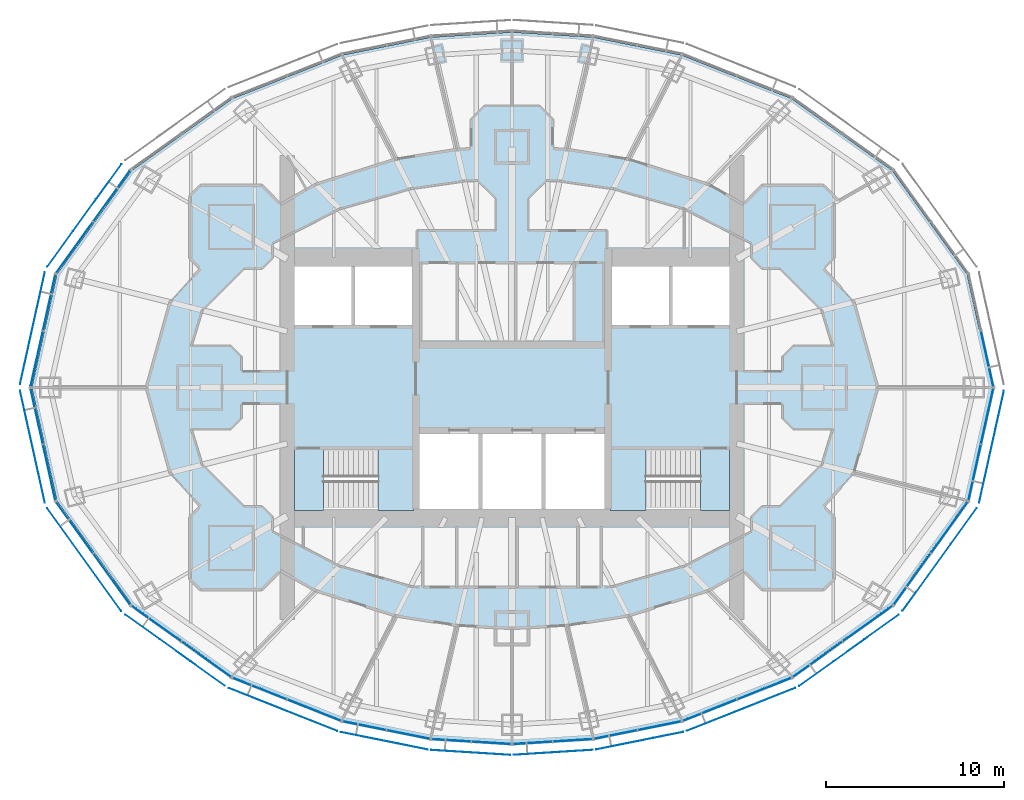
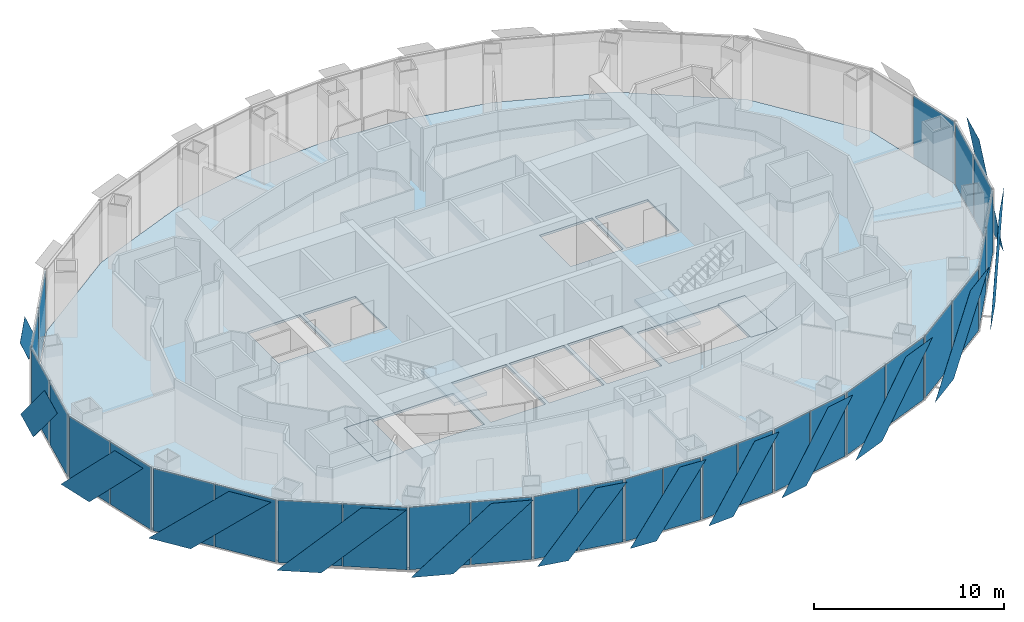
# One storey, part 10 of 18: 43 plates, 5 slabs, 17 elements without a shape of their own.
"""IFC4 building model written with IfcOpenShell, lengths in metres."""

from ifc_helpers import new_model, si_unit, direction, frame, origin, origin_2d, place, context, subcontext, project, spatial, polyline, rectangle, outline, extrude, material, layer, layer_set, type_object, element, aggregate, save


model = new_model("IFC4")

# Units and contexts
model_context = context("Model", 3, precision=1e-05, world=origin(), true_north=direction((0.0, 1.0)))
body_context = subcontext(model_context, "Body", "Model", "MODEL_VIEW")
ifc_project = project(units=[si_unit("LENGTHUNIT", "METRE"), si_unit("AREAUNIT", "SQUARE_METRE"), si_unit("VOLUMEUNIT", "CUBIC_METRE"), si_unit("PLANEANGLEUNIT", "RADIAN"), si_unit("MASSUNIT", "GRAM", prefix="KILO")], contexts=[model_context])

# Site, building, storey
site_placement = place(None, origin())
site = spatial("IfcSite", under=ifc_project, at=site_placement, CompositionType="ELEMENT")
building_placement = place(site_placement, origin())
building = spatial("IfcBuilding", under=site, at=building_placement, Name="Lantaw Convention Tower", CompositionType="ELEMENT")
storey_placement = place(building_placement, frame((0.0, 0.0, 228.39990234375)))
storey = spatial("IfcBuildingStorey", under=building, at=storey_placement, Name="L53", CompositionType="ELEMENT", Elevation=228.39990234375)

# Curtain wall, plate
ifc_material_1 = material(Name="Aluminium framed curtain wall", Category="aluminium")
curtain_wall_type = type_object("IfcCurtainWallType", Name="Office curtain wall high rise, pale aluminium", PredefinedType="USERDEFINED", material=ifc_material_1)
curtain_wall_1_placement = place(storey_placement, origin())
curtain_wall_1 = element("IfcCurtainWall", 1, at=curtain_wall_1_placement, inside=storey, type_object=curtain_wall_type, Name="Office curtain wall high rise, pale aluminium L53", ObjectType="UNITISED CURTAIN WALL", PredefinedType="USERDEFINED")
ifc_material_2 = material(Name="Clear insulating glass", Category="glass")
ifc_layer_1 = layer(ifc_material_2, 0.028076171875)
ifc_layer_set_1 = layer_set([ifc_layer_1], Name="CW-O2 panel 28")
plate_type_1 = type_object("IfcPlateType", Name="CW-O2 panel 28", PredefinedType="CURTAIN_PANEL", material=ifc_layer_set_1)
plate_1_placement = place(storey_placement, frame((26.643798828125, 1.61083984375, -0.0849609375), z_axis=(0.0, 0.0, 1.0), x_axis=(-0.215891333626, 0.976417396437, 0.0)))
plate_1 = element("IfcPlate", 2, at=plate_1_placement, type_object=plate_type_1, Name="CW-O2 panel 1.1", PredefinedType="CURTAIN_PANEL", context=body_context, shape_type="SweptSolid", body=[
    extrude(rectangle(XDim=3.169677734375, YDim=0.028076171875, at=origin_2d()), origin(), (0.0, 0.0, 1.0), 4.02001953125),
])
aggregate(curtain_wall_1, [plate_1])

# Curtain wall, plates
curtain_wall_2_placement = place(storey_placement, origin())
curtain_wall_2 = element("IfcCurtainWall", 3, at=curtain_wall_2_placement, inside=storey, type_object=curtain_wall_type, Name="Office curtain wall high rise, pale aluminium L53", ObjectType="UNITISED CURTAIN WALL", PredefinedType="USERDEFINED")
plate_2_placement = place(storey_placement, frame((-22.4404296875, 10.743896484375, -0.0849609375), z_axis=(0.0, 0.0, 1.0), x_axis=(-0.585157643865, -0.810919559405, 0.0)))
plate_2 = element("IfcPlate", 4, at=plate_2_placement, type_object=plate_type_1, Name="CW-O2 panel 1.1", PredefinedType="CURTAIN_PANEL", context=body_context, shape_type="SweptSolid", body=[
    extrude(rectangle(XDim=3.500732421875, YDim=0.028076171875, at=origin_2d()), origin(), (0.0, 0.0, 1.0), 4.02001953125),
])
plate_3_placement = place(storey_placement, frame((-24.527099609375, 7.852294921875, -0.0849609375), z_axis=(0.0, 0.0, 1.0), x_axis=(-0.585157643865, -0.810919559405, 0.0)))
plate_3 = element("IfcPlate", 5, at=plate_3_placement, type_object=plate_type_1, Name="CW-O2 panel 2.1", PredefinedType="CURTAIN_PANEL", context=body_context, shape_type="SweptSolid", body=[
    extrude(rectangle(XDim=3.500732421875, YDim=0.028076171875, at=origin_2d()), origin(), (0.0, 0.0, 1.0), 4.02001953125),
])
aggregate(curtain_wall_2, [plate_2, plate_3])

curtain_wall_3_placement = place(storey_placement, origin())
curtain_wall_3 = element("IfcCurtainWall", 6, at=curtain_wall_3_placement, inside=storey, type_object=curtain_wall_type, Name="Office curtain wall high rise, pale aluminium L53", ObjectType="UNITISED CURTAIN WALL", PredefinedType="USERDEFINED")
plate_4_placement = place(storey_placement, frame((-25.945556640625, 4.769287109375, -0.0849609375), z_axis=(0.0, 0.0, 1.0), x_axis=(-0.215891333626, -0.976417396437, 0.0)))
plate_4 = element("IfcPlate", 7, at=plate_4_placement, type_object=plate_type_1, Name="CW-O2 panel 1.1", PredefinedType="CURTAIN_PANEL", context=body_context, shape_type="SweptSolid", body=[
    extrude(rectangle(XDim=3.169677734375, YDim=0.028076171875, at=origin_2d()), origin(), (0.0, 0.0, 1.0), 4.02001953125),
])
plate_5_placement = place(storey_placement, frame((-26.643798828125, 1.61083984375, -0.0849609375), z_axis=(0.0, 0.0, 1.0), x_axis=(-0.215891333626, -0.976417396437, 0.0)))
plate_5 = element("IfcPlate", 8, at=plate_5_placement, type_object=plate_type_1, Name="CW-O2 panel 2.1", PredefinedType="CURTAIN_PANEL", context=body_context, shape_type="SweptSolid", body=[
    extrude(rectangle(XDim=3.169677734375, YDim=0.028076171875, at=origin_2d()), origin(), (0.0, 0.0, 1.0), 4.02001953125),
])
aggregate(curtain_wall_3, [plate_4, plate_5])

curtain_wall_4_placement = place(storey_placement, origin())
curtain_wall_4 = element("IfcCurtainWall", 9, at=curtain_wall_4_placement, inside=storey, type_object=curtain_wall_type, Name="Office curtain wall high rise, pale aluminium L53", ObjectType="UNITISED CURTAIN WALL", PredefinedType="USERDEFINED")
plate_6_placement = place(storey_placement, frame((-26.643798828125, -1.61083984375, -0.0849609375), z_axis=(0.0, 0.0, 1.0), x_axis=(0.215891333626, -0.976417396437, 0.0)))
plate_6 = element("IfcPlate", 10, at=plate_6_placement, type_object=plate_type_1, Name="CW-O2 panel 1.1", PredefinedType="CURTAIN_PANEL", context=body_context, shape_type="SweptSolid", body=[
    extrude(rectangle(XDim=3.169677734375, YDim=0.028076171875, at=origin_2d()), origin(), (0.0, 0.0, 1.0), 4.02001953125),
])
plate_7_placement = place(storey_placement, frame((-25.945556640625, -4.769287109375, -0.0849609375), z_axis=(0.0, 0.0, 1.0), x_axis=(0.215891333626, -0.976417396437, 0.0)))
plate_7 = element("IfcPlate", 11, at=plate_7_placement, type_object=plate_type_1, Name="CW-O2 panel 2.1", PredefinedType="CURTAIN_PANEL", context=body_context, shape_type="SweptSolid", body=[
    extrude(rectangle(XDim=3.169677734375, YDim=0.028076171875, at=origin_2d()), origin(), (0.0, 0.0, 1.0), 4.02001953125),
])
aggregate(curtain_wall_4, [plate_6, plate_7])

curtain_wall_5_placement = place(storey_placement, origin())
curtain_wall_5 = element("IfcCurtainWall", 12, at=curtain_wall_5_placement, inside=storey, type_object=curtain_wall_type, Name="Office curtain wall high rise, pale aluminium L53", ObjectType="UNITISED CURTAIN WALL", PredefinedType="USERDEFINED")
plate_8_placement = place(storey_placement, frame((-24.527099609375, -7.852294921875, -0.0849609375), z_axis=(0.0, 0.0, 1.0), x_axis=(0.585157643865, -0.810919559405, 0.0)))
plate_8 = element("IfcPlate", 13, at=plate_8_placement, type_object=plate_type_1, Name="CW-O2 panel 1.1", PredefinedType="CURTAIN_PANEL", context=body_context, shape_type="SweptSolid", body=[
    extrude(rectangle(XDim=3.500732421875, YDim=0.028076171875, at=origin_2d()), origin(), (0.0, 0.0, 1.0), 4.02001953125),
])
plate_9_placement = place(storey_placement, frame((-22.4404296875, -10.743896484375, -0.0849609375), z_axis=(0.0, 0.0, 1.0), x_axis=(0.585157643865, -0.810919559405, 0.0)))
plate_9 = element("IfcPlate", 14, at=plate_9_placement, type_object=plate_type_1, Name="CW-O2 panel 2.1", PredefinedType="CURTAIN_PANEL", context=body_context, shape_type="SweptSolid", body=[
    extrude(rectangle(XDim=3.500732421875, YDim=0.028076171875, at=origin_2d()), origin(), (0.0, 0.0, 1.0), 4.02001953125),
])
aggregate(curtain_wall_5, [plate_8, plate_9])

curtain_wall_6_placement = place(storey_placement, origin())
curtain_wall_6 = element("IfcCurtainWall", 15, at=curtain_wall_6_placement, inside=storey, type_object=curtain_wall_type, Name="Office curtain wall high rise, pale aluminium L53", ObjectType="UNITISED CURTAIN WALL", PredefinedType="USERDEFINED")
plate_10_placement = place(storey_placement, frame((-19.947509765625, -13.23828125, -0.0849609375), z_axis=(0.0, 0.0, 1.0), x_axis=(0.813672540482, -0.581323487281, 0.0)))
plate_10 = element("IfcPlate", 16, at=plate_10_placement, type_object=plate_type_1, Name="CW-O2 panel 1.1", PredefinedType="CURTAIN_PANEL", context=body_context, shape_type="SweptSolid", body=[
    extrude(rectangle(XDim=3.386474609375, YDim=0.028076171875, at=origin_2d()), origin(), (0.0, 0.0, 1.0), 4.02001953125),
])
plate_11_placement = place(storey_placement, frame((-17.13916015625, -15.24462890625, -0.0849609375), z_axis=(0.0, 0.0, 1.0), x_axis=(0.813672540482, -0.581323487281, 0.0)))
plate_11 = element("IfcPlate", 17, at=plate_11_placement, type_object=plate_type_1, Name="CW-O2 panel 2.1", PredefinedType="CURTAIN_PANEL", context=body_context, shape_type="SweptSolid", body=[
    extrude(rectangle(XDim=3.386474609375, YDim=0.028076171875, at=origin_2d()), origin(), (0.0, 0.0, 1.0), 4.02001953125),
])
aggregate(curtain_wall_6, [plate_10, plate_11])

curtain_wall_7_placement = place(storey_placement, origin())
curtain_wall_7 = element("IfcCurtainWall", 18, at=curtain_wall_7_placement, inside=storey, type_object=curtain_wall_type, Name="Office curtain wall high rise, pale aluminium L53", ObjectType="UNITISED CURTAIN WALL", PredefinedType="USERDEFINED")
plate_12_placement = place(storey_placement, frame((-14.14990234375, -16.8837890625, -0.0849609375), z_axis=(0.0, 0.0, 1.0), x_axis=(0.929761533743, -0.368162315252, 0.0)))
plate_12 = element("IfcPlate", 19, at=plate_12_placement, type_object=plate_type_1, Name="CW-O2 panel 1.1", PredefinedType="CURTAIN_PANEL", context=body_context, shape_type="SweptSolid", body=[
    extrude(rectangle(XDim=3.222900390625, YDim=0.028076171875, at=origin_2d()), origin(), (0.0, 0.0, 1.0), 4.02001953125),
])
plate_13_placement = place(storey_placement, frame((-11.0927734375, -18.094482421875, -0.0849609375), z_axis=(0.0, 0.0, 1.0), x_axis=(0.929761533743, -0.368162315252, 0.0)))
plate_13 = element("IfcPlate", 20, at=plate_13_placement, type_object=plate_type_1, Name="CW-O2 panel 2.1", PredefinedType="CURTAIN_PANEL", context=body_context, shape_type="SweptSolid", body=[
    extrude(rectangle(XDim=3.222900390625, YDim=0.028076171875, at=origin_2d()), origin(), (0.0, 0.0, 1.0), 4.02001953125),
])
aggregate(curtain_wall_7, [plate_12, plate_13])

curtain_wall_8_placement = place(storey_placement, origin())
curtain_wall_8 = element("IfcCurtainWall", 21, at=curtain_wall_8_placement, inside=storey, type_object=curtain_wall_type, Name="Office curtain wall high rise, pale aluminium L53", ObjectType="UNITISED CURTAIN WALL", PredefinedType="USERDEFINED")
plate_14_placement = place(storey_placement, frame((-8.2724609375, -18.96533203125, -0.0849609375), z_axis=(0.0, 0.0, 1.0), x_axis=(0.980366679695, -0.197183095987, 0.0)))
plate_14 = element("IfcPlate", 22, at=plate_14_placement, type_object=plate_type_1, Name="CW-O2 panel 1.1", PredefinedType="CURTAIN_PANEL", context=body_context, shape_type="SweptSolid", body=[
    extrude(rectangle(XDim=2.44384765625, YDim=0.028076171875, at=origin_2d()), origin(), (0.0, 0.0, 1.0), 4.02001953125),
])
plate_15_placement = place(storey_placement, frame((-5.81298828125, -19.4599609375, -0.0849609375), z_axis=(0.0, 0.0, 1.0), x_axis=(0.980366679695, -0.197183095987, 0.0)))
plate_15 = element("IfcPlate", 23, at=plate_15_placement, type_object=plate_type_1, Name="CW-O2 panel 2.1", PredefinedType="CURTAIN_PANEL", context=body_context, shape_type="SweptSolid", body=[
    extrude(rectangle(XDim=2.44384765625, YDim=0.028076171875, at=origin_2d()), origin(), (0.0, 0.0, 1.0), 4.02001953125),
])
aggregate(curtain_wall_8, [plate_14, plate_15])

curtain_wall_9_placement = place(storey_placement, origin())
curtain_wall_9 = element("IfcCurtainWall", 24, at=curtain_wall_9_placement, inside=storey, type_object=curtain_wall_type, Name="Office curtain wall high rise, pale aluminium L53", ObjectType="UNITISED CURTAIN WALL", PredefinedType="USERDEFINED")
plate_16_placement = place(storey_placement, frame((-3.397216796875, -19.786376953125, -0.0849609375), z_axis=(0.0, 0.0, 1.0), x_axis=(0.998028774865, -0.062757983884, 0.0)))
plate_16 = element("IfcPlate", 25, at=plate_16_placement, type_object=plate_type_1, Name="CW-O2 panel 1.1", PredefinedType="CURTAIN_PANEL", context=body_context, shape_type="SweptSolid", body=[
    extrude(rectangle(XDim=2.1826171875, YDim=0.028076171875, at=origin_2d()), origin(), (0.0, 0.0, 1.0), 4.02001953125),
])
plate_17_placement = place(storey_placement, frame((-1.154052734375, -19.927490234375, -0.0849609375), z_axis=(0.0, 0.0, 1.0), x_axis=(0.998028774865, -0.062757983884, 0.0)))
plate_17 = element("IfcPlate", 26, at=plate_17_placement, type_object=plate_type_1, Name="CW-O2 panel 2.1", PredefinedType="CURTAIN_PANEL", context=body_context, shape_type="SweptSolid", body=[
    extrude(rectangle(XDim=2.1826171875, YDim=0.028076171875, at=origin_2d()), origin(), (0.0, 0.0, 1.0), 4.02001953125),
])
aggregate(curtain_wall_9, [plate_16, plate_17])

curtain_wall_10_placement = place(storey_placement, origin())
curtain_wall_10 = element("IfcCurtainWall", 27, at=curtain_wall_10_placement, inside=storey, type_object=curtain_wall_type, Name="Office curtain wall high rise, pale aluminium L53", ObjectType="UNITISED CURTAIN WALL", PredefinedType="USERDEFINED")
plate_18_placement = place(storey_placement, frame((1.154052734375, -19.927490234375, -0.0849609375), z_axis=(0.0, 0.0, 1.0), x_axis=(0.998028774865, 0.062757983884, 0.0)))
plate_18 = element("IfcPlate", 28, at=plate_18_placement, type_object=plate_type_1, Name="CW-O2 panel 1.1", PredefinedType="CURTAIN_PANEL", context=body_context, shape_type="SweptSolid", body=[
    extrude(rectangle(XDim=2.1826171875, YDim=0.028076171875, at=origin_2d()), origin(), (0.0, 0.0, 1.0), 4.02001953125),
])
plate_19_placement = place(storey_placement, frame((3.397216796875, -19.786376953125, -0.0849609375), z_axis=(0.0, 0.0, 1.0), x_axis=(0.998028774865, 0.062757983884, 0.0)))
plate_19 = element("IfcPlate", 29, at=plate_19_placement, type_object=plate_type_1, Name="CW-O2 panel 2.1", PredefinedType="CURTAIN_PANEL", context=body_context, shape_type="SweptSolid", body=[
    extrude(rectangle(XDim=2.1826171875, YDim=0.028076171875, at=origin_2d()), origin(), (0.0, 0.0, 1.0), 4.02001953125),
])
aggregate(curtain_wall_10, [plate_18, plate_19])

curtain_wall_11_placement = place(storey_placement, origin())
curtain_wall_11 = element("IfcCurtainWall", 30, at=curtain_wall_11_placement, inside=storey, type_object=curtain_wall_type, Name="Office curtain wall high rise, pale aluminium L53", ObjectType="UNITISED CURTAIN WALL", PredefinedType="USERDEFINED")
plate_20_placement = place(storey_placement, frame((5.81298828125, -19.4599609375, -0.0849609375), z_axis=(0.0, 0.0, 1.0), x_axis=(0.980366679695, 0.197183095987, 0.0)))
plate_20 = element("IfcPlate", 31, at=plate_20_placement, type_object=plate_type_1, Name="CW-O2 panel 1.1", PredefinedType="CURTAIN_PANEL", context=body_context, shape_type="SweptSolid", body=[
    extrude(rectangle(XDim=2.44384765625, YDim=0.028076171875, at=origin_2d()), origin(), (0.0, 0.0, 1.0), 4.02001953125),
])
plate_21_placement = place(storey_placement, frame((8.2724609375, -18.96533203125, -0.0849609375), z_axis=(0.0, 0.0, 1.0), x_axis=(0.980366679695, 0.197183095987, 0.0)))
plate_21 = element("IfcPlate", 32, at=plate_21_placement, type_object=plate_type_1, Name="CW-O2 panel 2.1", PredefinedType="CURTAIN_PANEL", context=body_context, shape_type="SweptSolid", body=[
    extrude(rectangle(XDim=2.44384765625, YDim=0.028076171875, at=origin_2d()), origin(), (0.0, 0.0, 1.0), 4.02001953125),
])
aggregate(curtain_wall_11, [plate_20, plate_21])

curtain_wall_12_placement = place(storey_placement, origin())
curtain_wall_12 = element("IfcCurtainWall", 33, at=curtain_wall_12_placement, inside=storey, type_object=curtain_wall_type, Name="Office curtain wall high rise, pale aluminium L53", ObjectType="UNITISED CURTAIN WALL", PredefinedType="USERDEFINED")
plate_22_placement = place(storey_placement, frame((11.0927734375, -18.094482421875, -0.0849609375), z_axis=(0.0, 0.0, 1.0), x_axis=(0.929761533743, 0.368162315252, 0.0)))
plate_22 = element("IfcPlate", 34, at=plate_22_placement, type_object=plate_type_1, Name="CW-O2 panel 1.1", PredefinedType="CURTAIN_PANEL", context=body_context, shape_type="SweptSolid", body=[
    extrude(rectangle(XDim=3.222900390625, YDim=0.028076171875, at=origin_2d()), origin(), (0.0, 0.0, 1.0), 4.02001953125),
])
plate_23_placement = place(storey_placement, frame((14.14990234375, -16.8837890625, -0.0849609375), z_axis=(0.0, 0.0, 1.0), x_axis=(0.929761533743, 0.368162315252, 0.0)))
plate_23 = element("IfcPlate", 35, at=plate_23_placement, type_object=plate_type_1, Name="CW-O2 panel 2.1", PredefinedType="CURTAIN_PANEL", context=body_context, shape_type="SweptSolid", body=[
    extrude(rectangle(XDim=3.222900390625, YDim=0.028076171875, at=origin_2d()), origin(), (0.0, 0.0, 1.0), 4.02001953125),
])
aggregate(curtain_wall_12, [plate_22, plate_23])

curtain_wall_13_placement = place(storey_placement, origin())
curtain_wall_13 = element("IfcCurtainWall", 36, at=curtain_wall_13_placement, inside=storey, type_object=curtain_wall_type, Name="Office curtain wall high rise, pale aluminium L53", ObjectType="UNITISED CURTAIN WALL", PredefinedType="USERDEFINED")
plate_24_placement = place(storey_placement, frame((17.13916015625, -15.24462890625, -0.0849609375), z_axis=(0.0, 0.0, 1.0), x_axis=(0.813672540482, 0.581323487281, 0.0)))
plate_24 = element("IfcPlate", 37, at=plate_24_placement, type_object=plate_type_1, Name="CW-O2 panel 1.1", PredefinedType="CURTAIN_PANEL", context=body_context, shape_type="SweptSolid", body=[
    extrude(rectangle(XDim=3.386474609375, YDim=0.028076171875, at=origin_2d()), origin(), (0.0, 0.0, 1.0), 4.02001953125),
])
plate_25_placement = place(storey_placement, frame((19.947509765625, -13.23828125, -0.0849609375), z_axis=(0.0, 0.0, 1.0), x_axis=(0.813672540482, 0.581323487281, 0.0)))
plate_25 = element("IfcPlate", 38, at=plate_25_placement, type_object=plate_type_1, Name="CW-O2 panel 2.1", PredefinedType="CURTAIN_PANEL", context=body_context, shape_type="SweptSolid", body=[
    extrude(rectangle(XDim=3.386474609375, YDim=0.028076171875, at=origin_2d()), origin(), (0.0, 0.0, 1.0), 4.02001953125),
])
aggregate(curtain_wall_13, [plate_24, plate_25])

curtain_wall_14_placement = place(storey_placement, origin())
curtain_wall_14 = element("IfcCurtainWall", 39, at=curtain_wall_14_placement, inside=storey, type_object=curtain_wall_type, Name="Office curtain wall high rise, pale aluminium L53", ObjectType="UNITISED CURTAIN WALL", PredefinedType="USERDEFINED")
plate_26_placement = place(storey_placement, frame((22.4404296875, -10.743896484375, -0.0849609375), z_axis=(0.0, 0.0, 1.0), x_axis=(0.585157643865, 0.810919559405, 0.0)))
plate_26 = element("IfcPlate", 40, at=plate_26_placement, type_object=plate_type_1, Name="CW-O2 panel 1.1", PredefinedType="CURTAIN_PANEL", context=body_context, shape_type="SweptSolid", body=[
    extrude(rectangle(XDim=3.500732421875, YDim=0.028076171875, at=origin_2d()), origin(), (0.0, 0.0, 1.0), 4.02001953125),
])
plate_27_placement = place(storey_placement, frame((24.527099609375, -7.852294921875, -0.0849609375), z_axis=(0.0, 0.0, 1.0), x_axis=(0.585157643865, 0.810919559405, 0.0)))
plate_27 = element("IfcPlate", 41, at=plate_27_placement, type_object=plate_type_1, Name="CW-O2 panel 2.1", PredefinedType="CURTAIN_PANEL", context=body_context, shape_type="SweptSolid", body=[
    extrude(rectangle(XDim=3.500732421875, YDim=0.028076171875, at=origin_2d()), origin(), (0.0, 0.0, 1.0), 4.02001953125),
])
aggregate(curtain_wall_14, [plate_26, plate_27])

curtain_wall_15_placement = place(storey_placement, origin())
curtain_wall_15 = element("IfcCurtainWall", 42, at=curtain_wall_15_placement, inside=storey, type_object=curtain_wall_type, Name="Office curtain wall high rise, pale aluminium L53", ObjectType="UNITISED CURTAIN WALL", PredefinedType="USERDEFINED")
plate_28_placement = place(storey_placement, frame((25.945556640625, -4.769287109375, -0.0849609375), z_axis=(0.0, 0.0, 1.0), x_axis=(0.215891333626, 0.976417396437, 0.0)))
plate_28 = element("IfcPlate", 43, at=plate_28_placement, type_object=plate_type_1, Name="CW-O2 panel 1.1", PredefinedType="CURTAIN_PANEL", context=body_context, shape_type="SweptSolid", body=[
    extrude(rectangle(XDim=3.169677734375, YDim=0.028076171875, at=origin_2d()), origin(), (0.0, 0.0, 1.0), 4.02001953125),
])
plate_29_placement = place(storey_placement, frame((26.643798828125, -1.61083984375, -0.0849609375), z_axis=(0.0, 0.0, 1.0), x_axis=(0.215891333626, 0.976417396437, 0.0)))
plate_29 = element("IfcPlate", 44, at=plate_29_placement, type_object=plate_type_1, Name="CW-O2 panel 2.1", PredefinedType="CURTAIN_PANEL", context=body_context, shape_type="SweptSolid", body=[
    extrude(rectangle(XDim=3.169677734375, YDim=0.028076171875, at=origin_2d()), origin(), (0.0, 0.0, 1.0), 4.02001953125),
])
aggregate(curtain_wall_15, [plate_28, plate_29])

# Slab
ifc_material_3 = material(Name="Concrete C35/45", Category="concrete")
ifc_layer_2 = layer(ifc_material_3, 0.14990234375)
ifc_layer_set_2 = layer_set([ifc_layer_2], Name="Floor slab 150")
slab_type_1 = type_object("IfcSlabType", Name="Floor slab 150", PredefinedType="FLOOR", material=ifc_layer_set_2)
slab_1_placement = place(storey_placement, frame((0.0, 0.0, -0.14990234375)))
element("IfcSlab", 45, at=slab_1_placement, inside=storey, type_object=slab_type_1, Name="L53 floor slab", PredefinedType="FLOOR", context=body_context, shape_type="SweptSolid", body=[
    extrude(outline(polyline([(25.51953125, -6.348876953125), (26.923095703125, 0.0), (25.51953125, 6.348876953125), (21.324462890625, 12.162109375), (15.67236328125, 16.2001953125), (9.5126953125, 18.639404296875), (4.54150390625, 19.63916015625), (0.0, 19.9248046875), (-4.54150390625, 19.63916015625), (-9.5126953125, 18.639404296875), (-15.67236328125, 16.2001953125), (-21.324462890625, 12.162109375), (-25.51953125, 6.348876953125), (-26.923095703125, 0.0), (-25.51953125, -6.348876953125), (-21.324462890625, -12.162109375), (-15.67236328125, -16.2001953125), (-9.5126953125, -18.639404296875), (-4.54150390625, -19.63916015625), (0.0, -19.9248046875), (4.54150390625, -19.63916015625), (9.5126953125, -18.639404296875), (15.67236328125, -16.2001953125), (21.324462890625, -12.162109375), (25.51953125, -6.348876953125)]), holes=[polyline([(-5.60009765625, -3.5), (-12.199951171875, -3.5), (-12.199951171875, -6.800048828125), (-5.60009765625, -6.800048828125), (-5.60009765625, -3.5)]), polyline([(12.199951171875, -3.5), (5.60009765625, -3.5), (5.60009765625, -6.800048828125), (12.199951171875, -6.800048828125), (12.199951171875, -3.5)]), polyline([(-1.86669921875, -2.60009765625), (-5.199951171875, -2.60009765625), (-5.199951171875, -6.800048828125), (-1.86669921875, -6.800048828125), (-1.86669921875, -2.60009765625)]), polyline([(1.666748046875, -2.60009765625), (-1.666748046875, -2.60009765625), (-1.666748046875, -6.800048828125), (1.666748046875, -6.800048828125), (1.666748046875, -2.60009765625)]), polyline([(5.199951171875, -2.60009765625), (1.86669921875, -2.60009765625), (1.86669921875, -6.800048828125), (5.199951171875, -6.800048828125), (5.199951171875, -2.60009765625)]), polyline([(-9.0, 6.800048828125), (-12.199951171875, 6.800048828125), (-12.199951171875, 3.5), (-9.0, 3.5), (-9.0, 6.800048828125)]), polyline([(-5.60009765625, 6.800048828125), (-8.800048828125, 6.800048828125), (-8.800048828125, 3.5), (-5.60009765625, 3.5), (-5.60009765625, 6.800048828125)]), polyline([(8.800048828125, 3.5), (8.800048828125, 6.800048828125), (5.60009765625, 6.800048828125), (5.60009765625, 3.5), (8.800048828125, 3.5)]), polyline([(12.199951171875, 3.5), (12.199951171875, 6.800048828125), (9.0, 6.800048828125), (9.0, 3.5), (12.199951171875, 3.5)])]), origin(), (0.0, 0.0, 1.0), 0.14990234375),
])

# Plates
ifc_material_4 = material(Name="Perforated aluminium sheet, pale silver finish", Category="aluminium")
ifc_layer_3 = layer(ifc_material_4, 0.006103515625)
ifc_layer_set_3 = layer_set([ifc_layer_3], Name="Perforated aluminium solar SCREEN panel")
plate_type_2 = type_object("IfcPlateType", Name="Perforated aluminium solar SCREEN panel", PredefinedType="SHEET", material=ifc_layer_set_3)
plate_30_placement = place(storey_placement, frame((-21.898681640625, 12.530029296875, -0.1748046875), z_axis=(-0.810892289695, 0.585195432394, 2.0459565e-05), x_axis=(-0.585195432516, -0.810892289865, 0.0)))
element("IfcPlate", 46, at=plate_30_placement, inside=storey, type_object=plate_type_2, Name="Solar SCREEN panel", PredefinedType="SHEET", context=body_context, shape_type="SweptSolid", body=[
    extrude(outline(polyline([(0.0, 0.0), (2.4468488406832853, 0.0), (7.096610466675719, 4.339843750908316), (4.649761625992434, 4.339843750908316), (0.0, 0.0)])), origin(), (0.0, 0.0, -1.0), 0.006103515625),
])
plate_31_placement = place(storey_placement, frame((-26.19189453125, 6.462158203125, -0.1748046875), z_axis=(0.976429511424, -0.215836529031, 4.4221925e-05), x_axis=(-0.215836529242, -0.976429512379, 0.0)))
element("IfcPlate", 47, at=plate_31_placement, inside=storey, type_object=plate_type_2, Name="Solar SCREEN panel", PredefinedType="SHEET", context=body_context, shape_type="SweptSolid", body=[
    extrude(outline(polyline([(0.0, 0.0), (2.2215525295212517, -3.3881317890172014e-21), (6.4341686174090675, -4.339843754243453), (4.212616087887817, -4.339843754243453), (0.0, 0.0)])), origin(), (0.0, 0.0, -1.0), 0.006103515625),
])
plate_32_placement = place(storey_placement, frame((-27.580810546875, -0.1796875, -0.1748046875), z_axis=(-0.976429511424, -0.215836529031, 4.4221925e-05), x_axis=(0.215836529242, -0.976429512379, 0.0)))
element("IfcPlate", 48, at=plate_32_placement, inside=storey, type_object=plate_type_2, Name="Solar SCREEN panel", PredefinedType="SHEET", context=body_context, shape_type="SweptSolid", body=[
    extrude(outline(polyline([(0.0, 0.0), (2.2215525295212517, 3.3881317890172014e-21), (6.4341686174090675, 4.339843754243453), (4.212616087887817, 4.339843754243453), (0.0, 0.0)])), origin(), (0.0, 0.0, -1.0), 0.006103515625),
])
plate_33_placement = place(storey_placement, frame((-26.051513671875, -6.775390625, -0.1748046875), z_axis=(0.810892289695, 0.585195432394, 2.0459565e-05), x_axis=(0.585195432516, -0.810892289865, 0.0)))
element("IfcPlate", 49, at=plate_33_placement, inside=storey, type_object=plate_type_2, Name="Solar SCREEN panel", PredefinedType="SHEET", context=body_context, shape_type="SweptSolid", body=[
    extrude(outline(polyline([(0.0, 0.0), (2.4468488406832853, 0.0), (7.096610466675719, -4.339843750908316), (4.649761625992434, -4.339843750908316), (0.0, 0.0)])), origin(), (0.0, 0.0, -1.0), 0.006103515625),
])
plate_34_placement = place(storey_placement, frame((-21.689697265625, -12.73828125, -0.1748046875), z_axis=(-0.581330799771, -0.813667316006, 1.0072981e-05), x_axis=(0.813667316047, -0.5813307998, 3.02e-10)))
element("IfcPlate", 50, at=plate_34_placement, inside=storey, type_object=plate_type_2, Name="Solar SCREEN panel", PredefinedType="SHEET", context=body_context, shape_type="SweptSolid", body=[
    extrude(outline(polyline([(0.0, 0.0), (2.36914164286685, -1.6940658945086007e-21), (6.867806096558412, 4.339843748148034), (4.498863102938643, 4.3398437495775966), (0.0, 0.0)])), origin(), (0.0, 0.0, -1.0), 0.006103515625),
])
plate_35_placement = place(storey_placement, frame((-15.88525390625, -16.8486328125, -0.1748046875), z_axis=(0.368116612072, 0.929779629081, 3.5535267e-05), x_axis=(0.929779629668, -0.368116612304, -1.786e-09)))
element("IfcPlate", 51, at=plate_35_placement, inside=storey, type_object=plate_type_2, Name="Solar SCREEN panel", PredefinedType="SHEET", context=body_context, shape_type="SweptSolid", body=[
    extrude(outline(polyline([(0.0, 0.0), (2.2578720663572183, -6.776263578034403e-21), (6.540904465438181, -4.339843764423989), (4.282942526861161, -4.33984375635743), (0.0, 0.0)])), origin(), (0.0, 0.0, -1.0), 0.006103515625),
])
plate_36_placement = place(storey_placement, frame((-9.6044921875, -19.315673828125, -0.1748046875), z_axis=(0.197162069853, 0.980370908428, 1.0904697e-05), x_axis=(0.980370908486, -0.197162069865, -7.55e-10)))
element("IfcPlate", 52, at=plate_36_placement, inside=storey, type_object=plate_type_2, Name="Solar SCREEN panel", PredefinedType="SHEET", context=body_context, shape_type="SweptSolid", body=[
    extrude(outline(polyline([(0.0, 0.0), (1.7279870169553606, 0.0), (4.982578440602753, -4.339843754020975), (3.2545432883764285, -4.339843751410917), (0.0, 0.0)])), origin(), (0.0, 0.0, -1.0), 0.006103515625),
])
plate_37_placement = place(storey_placement, frame((-4.539306640625, -20.32177734375, -0.1748046875), z_axis=(0.062672387577, 0.998034151922, 5.8589976e-05), x_axis=(0.998034153635, -0.062672387685, 0.0)))
element("IfcPlate", 53, at=plate_37_placement, inside=storey, type_object=plate_type_2, Name="Solar SCREEN panel", PredefinedType="SHEET", context=body_context, shape_type="SweptSolid", body=[
    extrude(outline(polyline([(0.0, 0.0), (1.5504111513762302, 8.470329472543003e-22), (4.460200019412434, -4.339843757448876), (2.9097888680362036, -4.339843757448876), (0.0, 0.0)])), origin(), (0.0, 0.0, -1.0), 0.006103515625),
])
plate_38_placement = place(storey_placement, frame((0.087890625, -20.6015625, -0.1748046875), z_axis=(0.062672387577, -0.998034151922, 5.8589976e-05), x_axis=(0.998034153635, 0.062672387685, 0.0)))
element("IfcPlate", 54, at=plate_38_placement, inside=storey, type_object=plate_type_2, Name="Solar SCREEN panel", PredefinedType="SHEET", context=body_context, shape_type="SweptSolid", body=[
    extrude(outline(polyline([(0.0, 0.0), (1.5504111513762302, -8.470329472543003e-22), (4.460200019412434, 4.339843757448876), (2.9097888680362036, 4.339843757448876), (0.0, 0.0)])), origin(), (0.0, 0.0, -1.0), 0.006103515625),
])
plate_39_placement = place(storey_placement, frame((4.7197265625, -20.298095703125, -0.1748046875), z_axis=(0.197162069853, -0.980370908428, 1.0904697e-05), x_axis=(0.980370908486, 0.197162069865, 7.55e-10)))
element("IfcPlate", 55, at=plate_39_placement, inside=storey, type_object=plate_type_2, Name="Solar SCREEN panel", PredefinedType="SHEET", context=body_context, shape_type="SweptSolid", body=[
    extrude(outline(polyline([(0.0, 0.0), (1.7280351522263238, 0.0), (4.982578447157737, 4.339843746495192), (3.2545914302023755, 4.339843749105177), (0.0, 0.0)])), origin(), (0.0, 0.0, -1.0), 0.006103515625),
])
plate_40_placement = place(storey_placement, frame((9.8037109375, -19.256591796875, -0.1748046875), z_axis=(0.368116612072, -0.929779629081, 3.5535267e-05), x_axis=(0.929779629668, 0.368116612304, 1.786e-09)))
element("IfcPlate", 56, at=plate_40_placement, inside=storey, type_object=plate_type_2, Name="Solar SCREEN panel", PredefinedType="SHEET", context=body_context, shape_type="SweptSolid", body=[
    extrude(outline(polyline([(0.0, 0.0), (2.257961938577019, 6.776263578034403e-21), (6.540904480942253, 4.339843741056637), (4.283032414585034, 4.339843749122875), (0.0, 0.0)])), origin(), (0.0, 0.0, -1.0), 0.006103515625),
])
plate_41_placement = place(storey_placement, frame((16.1015625, -16.730712890625, -0.1748046875), z_axis=(-0.581330799771, 0.813667316006, 1.0072981e-05), x_axis=(0.813667316047, 0.5813307998, -3.02e-10)))
element("IfcPlate", 57, at=plate_41_placement, inside=storey, type_object=plate_type_2, Name="Solar SCREEN panel", PredefinedType="SHEET", context=body_context, shape_type="SweptSolid", body=[
    extrude(outline(polyline([(0.0, 0.0), (2.3689429936197683, -1.6940658945086007e-21), (6.867806093939489, -4.339843752292481), (4.498664451072639, -4.339843750862799), (0.0, 0.0)])), origin(), (0.0, 0.0, -1.0), 0.006103515625),
])
plate_42_placement = place(storey_placement, frame((21.898681640625, -12.530029296875, -0.1748046875), z_axis=(0.810892289695, -0.585195432394, 2.0459565e-05), x_axis=(0.585195432516, 0.810892289865, 0.0)))
element("IfcPlate", 58, at=plate_42_placement, inside=storey, type_object=plate_type_2, Name="Solar SCREEN panel", PredefinedType="SHEET", context=body_context, shape_type="SweptSolid", body=[
    extrude(outline(polyline([(0.0, 0.0), (2.4468488406832853, 0.0), (7.096610466675719, 4.339843750908316), (4.649761625992434, 4.339843750908316), (0.0, 0.0)])), origin(), (0.0, 0.0, -1.0), 0.006103515625),
])
plate_43_placement = place(storey_placement, frame((26.19189453125, -6.462158203125, -0.1748046875), z_axis=(-0.976429511424, 0.215836529031, 4.4221925e-05), x_axis=(0.215836529242, 0.976429512379, 0.0)))
element("IfcPlate", 59, at=plate_43_placement, inside=storey, type_object=plate_type_2, Name="Solar SCREEN panel", PredefinedType="SHEET", context=body_context, shape_type="SweptSolid", body=[
    extrude(outline(polyline([(0.0, 0.0), (2.2215525295212517, -3.3881317890172014e-21), (6.4341686174090675, -4.339843754243453), (4.212616087887817, -4.339843754243453), (0.0, 0.0)])), origin(), (0.0, 0.0, -1.0), 0.006103515625),
])

# Stair, slabs
stair_type = type_object("IfcStairType", Name="Exit stair 1500 riser 175 in 2 flights", PredefinedType="HALF_TURN_STAIR", material=ifc_material_3)
stair_1_placement = place(storey_placement, origin())
stair_1 = element("IfcStair", 60, at=stair_1_placement, inside=storey, type_object=stair_type, Name="Exit stair S1 L53", PredefinedType="HALF_TURN_STAIR")
ifc_layer_4 = layer(ifc_material_3, 0.199951171875)
ifc_layer_set_4 = layer_set([ifc_layer_4], Name="Stair landing 200")
slab_type_2 = type_object("IfcSlabType", Name="Stair landing 200", PredefinedType="LANDING", material=ifc_layer_set_4)
slab_2_placement = place(storey_placement, frame((0.0, 0.0, -0.199951171875)))
slab_2 = element("IfcSlab", 61, at=slab_2_placement, type_object=slab_type_2, Name="S1 landing 1", PredefinedType="LANDING", context=body_context, shape_type="SweptSolid", body=[
    extrude(outline(polyline([(-12.199951171875, -6.89990234375), (-10.580078125, -6.89990234375), (-10.580078125, -3.39990234375), (-12.199951171875, -3.39990234375), (-12.199951171875, -6.89990234375)])), origin(), (0.0, 0.0, 1.0), 0.199951171875),
])
slab_3_placement = place(storey_placement, frame((0.0, 0.0, 1.900146484375)))
slab_3 = element("IfcSlab", 62, at=slab_3_placement, type_object=slab_type_2, Name="S1 landing 2", PredefinedType="LANDING", context=body_context, shape_type="SweptSolid", body=[
    extrude(outline(polyline([(-7.5, -6.89990234375), (-5.5, -6.89990234375), (-5.5, -3.39990234375), (-7.5, -3.39990234375), (-7.5, -6.89990234375)])), origin(), (0.0, 0.0, 1.0), 0.199951171875),
])
aggregate(stair_1, [slab_2, slab_3])

stair_2_placement = place(storey_placement, origin())
stair_2 = element("IfcStair", 63, at=stair_2_placement, inside=storey, type_object=stair_type, Name="Exit stair S2 L53", PredefinedType="HALF_TURN_STAIR")
slab_4_placement = place(storey_placement, frame((0.0, 0.0, -0.199951171875)))
slab_4 = element("IfcSlab", 64, at=slab_4_placement, type_object=slab_type_2, Name="S2 landing 1", PredefinedType="LANDING", context=body_context, shape_type="SweptSolid", body=[
    extrude(outline(polyline([(10.580078125, -6.89990234375), (12.199951171875, -6.89990234375), (12.199951171875, -3.39990234375), (10.580078125, -3.39990234375), (10.580078125, -6.89990234375)])), origin(), (0.0, 0.0, 1.0), 0.199951171875),
])
slab_5_placement = place(storey_placement, frame((0.0, 0.0, 1.900146484375)))
slab_5 = element("IfcSlab", 65, at=slab_5_placement, type_object=slab_type_2, Name="S2 landing 2", PredefinedType="LANDING", context=body_context, shape_type="SweptSolid", body=[
    extrude(outline(polyline([(5.5, -6.89990234375), (7.5, -6.89990234375), (7.5, -3.39990234375), (5.5, -3.39990234375), (5.5, -6.89990234375)])), origin(), (0.0, 0.0, 1.0), 0.199951171875),
])
aggregate(stair_2, [slab_4, slab_5])

save(model, "model.ifc")
